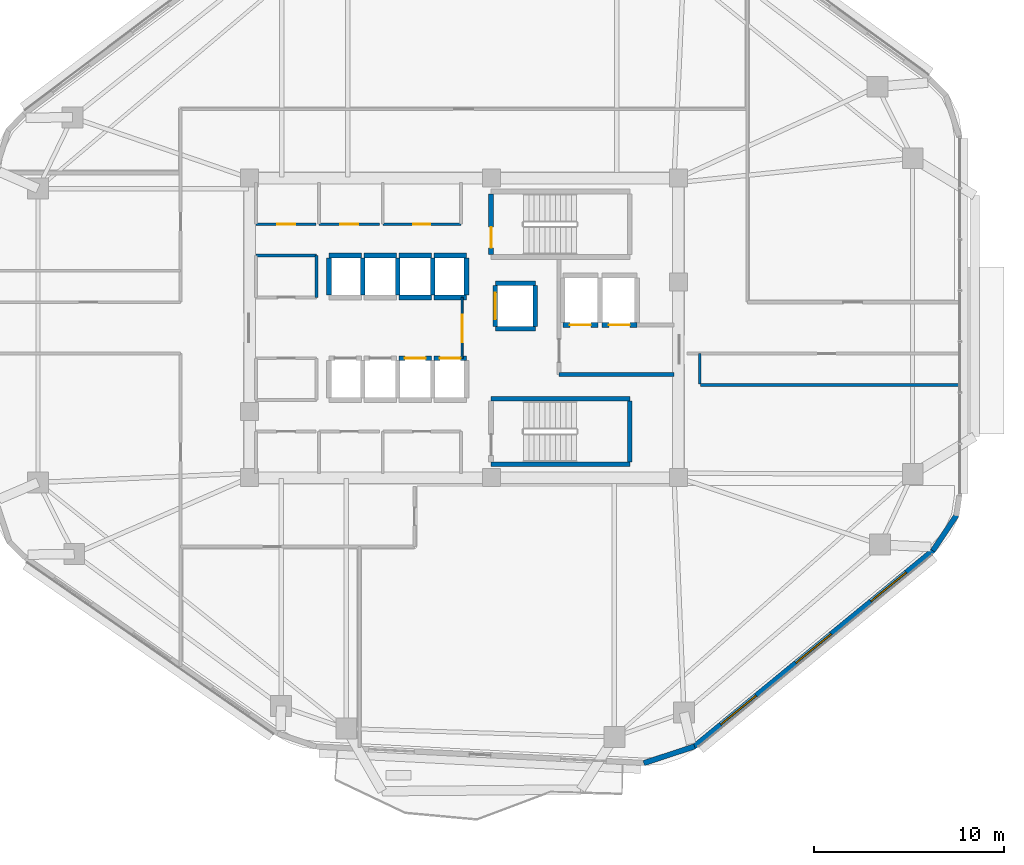
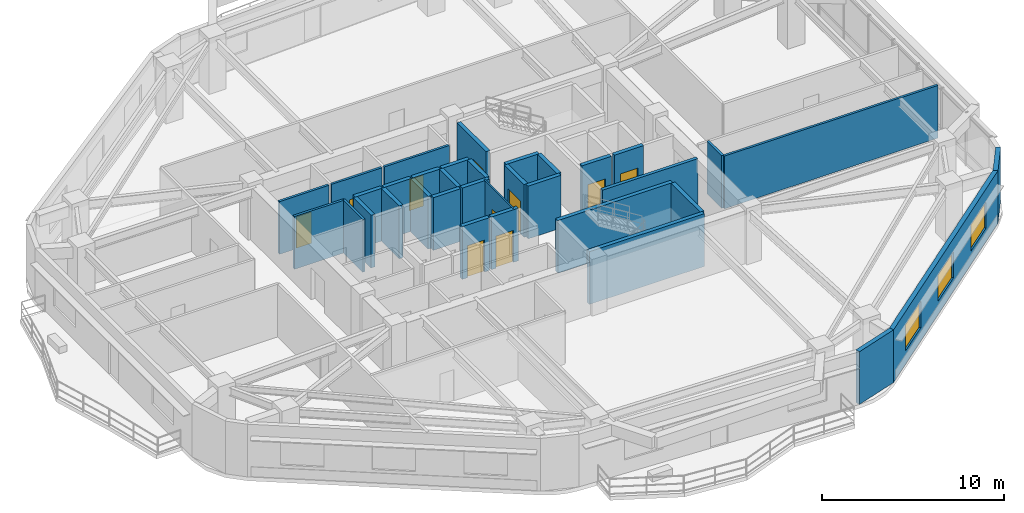
# One storey, part 10 of 15: 35 walls, 10 doors, 3 windows, 13 openings.
"""IFC4 building model written with IfcOpenShell, lengths in metres."""

from ifc_helpers import new_model, si_unit, direction, frame, frame_2d, origin, place, context, subcontext, project, spatial, rectangle, extrude, material, layer, layer_set, type_object, element, fill, save


model = new_model("IFC4")

# Units and contexts
model_context = context("Model", 3, precision=1e-05, world=origin(), true_north=direction((0.0, 1.0)))
body_context = subcontext(model_context, "Body", "Model", "MODEL_VIEW")
ifc_project = project(units=[si_unit("LENGTHUNIT", "METRE"), si_unit("AREAUNIT", "SQUARE_METRE"), si_unit("VOLUMEUNIT", "CUBIC_METRE"), si_unit("PLANEANGLEUNIT", "RADIAN"), si_unit("MASSUNIT", "GRAM", prefix="KILO")], contexts=[model_context])

# Site, building, storey
site_placement = place(None, origin())
site = spatial("IfcSite", under=ifc_project, at=site_placement, CompositionType="ELEMENT")
building_placement = place(site_placement, origin())
building = spatial("IfcBuilding", under=site, at=building_placement, Name="Zulverin Broadcast Headquarters", CompositionType="ELEMENT")
storey_placement = place(building_placement, frame((0.0, 0.0, 132.60009765625)))
storey = spatial("IfcBuildingStorey", under=building, at=storey_placement, Name="L33", CompositionType="ELEMENT", Elevation=132.60009765625)

# Wall, openings, windows
ifc_material_1 = material(Name="Insulated pale-metal clad concrete spandrel C40/50", Category="concrete")
ifc_layer_1 = layer(ifc_material_1, 0.280029296875, Name="Insulated pale-metal clad concrete spandrel C40/50", Category="concrete")
ifc_layer_set_1 = layer_set([ifc_layer_1], Name="Insulated pale-metal clad concrete spandrel C40/50")
wall_type_1 = type_object("IfcWallType", Name="WL-EXT-280", PredefinedType="STANDARD", material=ifc_layer_set_1)
wall_1_placement = place(storey_placement, frame((49.080078125, 3.164306640625, 0.0), z_axis=(0.0, 0.0, 1.0), x_axis=(0.772937830186, 0.634481765433, 0.0)))
wall_1 = element("IfcWall", 1, at=wall_1_placement, inside=storey, type_object=wall_type_1, Name="L33 Pale-Metal Clad Spandrel Wall 2", PredefinedType="STANDARD", context=body_context, shape_type="SweptSolid", body=[
    extrude(rectangle(XDim=16.308837890625, YDim=0.280029296875, at=frame_2d((8.154296875, 0.0))), origin(), (0.0, 0.0, 1.0), 3.539794921875),
])
opening_1_placement = place(wall_1_placement, frame((1.8515625, 0.0, 0.89990234375)))
opening_1 = element("IfcOpeningElement", 2, at=opening_1_placement, cuts=wall_1, Name="Opening W-L33-E21", PredefinedType="OPENING", context=body_context, shape_type="SweptSolid", body=[
    extrude(rectangle(XDim=2.39990234375, YDim=1.75, at=frame_2d((1.199951171875, 0.875))), frame((0.0, 0.14990234375, 0.0), z_axis=(0.0, -1.0, 0.0), x_axis=(1.0, 0.0, 0.0)), (0.0, 0.0, 1.0), 0.300048828125),
])
opening_2_placement = place(wall_1_placement, frame((6.954345703125, 0.0, 0.89990234375)))
opening_2 = element("IfcOpeningElement", 3, at=opening_2_placement, cuts=wall_1, Name="Opening W-L33-E22", PredefinedType="OPENING", context=body_context, shape_type="SweptSolid", body=[
    extrude(rectangle(XDim=2.39990234375, YDim=1.75, at=frame_2d((1.199951171875, 0.875))), frame((0.0, 0.14990234375, 0.0), z_axis=(0.0, -1.0, 0.0), x_axis=(1.0, 0.0, 0.0)), (0.0, 0.0, 1.0), 0.300048828125),
])
opening_3_placement = place(wall_1_placement, frame((12.057373046875, 0.0, 0.89990234375)))
opening_3 = element("IfcOpeningElement", 4, at=opening_3_placement, cuts=wall_1, Name="Opening W-L33-E23", PredefinedType="OPENING", context=body_context, shape_type="SweptSolid", body=[
    extrude(rectangle(XDim=2.39990234375, YDim=1.75, at=frame_2d((1.199951171875, 0.875))), frame((0.0, 0.14990234375, 0.0), z_axis=(0.0, -1.0, 0.0), x_axis=(1.0, 0.0, 0.0)), (0.0, 0.0, 1.0), 0.300048828125),
])
ifc_material_2 = material(Name="Pale anodized aluminium frame with solar-control low-E double glazing", Category="aluminium")
window_type = type_object("IfcWindowType", Name="WIN-RIB-2400", PartitioningType="SINGLE_PANEL", PredefinedType="WINDOW", material=ifc_material_2)
window_1_placement = place(opening_1_placement, origin())
window_1 = element("IfcWindow", 5, at=window_1_placement, inside=storey, type_object=window_type, Name="L33 Ribbon Glazing Window 2 1", OverallHeight=1.75, OverallWidth=2.39990234375, PartitioningType="SINGLE_PANEL", PredefinedType="WINDOW", context=body_context, shape_type="SweptSolid", body=[
    extrude(rectangle(XDim=2.39990234375, YDim=1.75, at=frame_2d((1.199951171875, 0.875))), frame((0.0, 0.030029296875, 0.0), z_axis=(0.0, -1.0, 0.0), x_axis=(1.0, 0.0, 0.0)), (0.0, 0.0, 1.0), 0.06005859375),
])
fill(opening_1, window_1)
window_2_placement = place(opening_2_placement, origin())
window_2 = element("IfcWindow", 6, at=window_2_placement, inside=storey, type_object=window_type, Name="L33 Ribbon Glazing Window 2 2", OverallHeight=1.75, OverallWidth=2.39990234375, PartitioningType="SINGLE_PANEL", PredefinedType="WINDOW", context=body_context, shape_type="SweptSolid", body=[
    extrude(rectangle(XDim=2.39990234375, YDim=1.75, at=frame_2d((1.199951171875, 0.875))), frame((0.0, 0.030029296875, 0.0), z_axis=(0.0, -1.0, 0.0), x_axis=(1.0, 0.0, 0.0)), (0.0, 0.0, 1.0), 0.06005859375),
])
fill(opening_2, window_2)
window_3_placement = place(opening_3_placement, origin())
window_3 = element("IfcWindow", 7, at=window_3_placement, inside=storey, type_object=window_type, Name="L33 Ribbon Glazing Window 2 3", OverallHeight=1.75, OverallWidth=2.39990234375, PartitioningType="SINGLE_PANEL", PredefinedType="WINDOW", context=body_context, shape_type="SweptSolid", body=[
    extrude(rectangle(XDim=2.39990234375, YDim=1.75, at=frame_2d((1.199951171875, 0.875))), frame((0.0, 0.030029296875, 0.0), z_axis=(0.0, -1.0, 0.0), x_axis=(1.0, 0.0, 0.0)), (0.0, 0.0, 1.0), 0.06005859375),
])
fill(opening_3, window_3)

# Walls
wall_2_placement = place(storey_placement, frame((46.455078125, 2.30859375, 0.0), z_axis=(0.0, 0.0, 1.0), x_axis=(0.949677222099, 0.313230224955, 0.0)))
element("IfcWall", 8, at=wall_2_placement, inside=storey, type_object=wall_type_1, Name="L33 Wind-Shaped Corner Spandrel Wall 1-1", PredefinedType="STANDARD", context=body_context, shape_type="SweptSolid", body=[
    extrude(rectangle(XDim=2.811279296875, YDim=0.280029296875, at=frame_2d((1.40576171875, 0.0))), origin(), (0.0, 0.0, 1.0), 3.539794921875),
])
wall_3_placement = place(storey_placement, frame((61.658203125, 13.481689453125, 0.0), z_axis=(0.0, 0.0, 1.0), x_axis=(0.555521224344, 0.831502356764, 0.0)))
element("IfcWall", 9, at=wall_3_placement, inside=storey, type_object=wall_type_1, Name="L33 Wind-Shaped Corner Spandrel Wall 2-1", PredefinedType="STANDARD", context=body_context, shape_type="SweptSolid", body=[
    extrude(rectangle(XDim=2.263671875, YDim=0.280029296875, at=frame_2d((1.1318359375, 0.0))), origin(), (0.0, 0.0, 1.0), 3.539794921875),
])
ifc_material_3 = material(Name="Concrete C40/50", Category="concrete")
ifc_layer_2 = layer(ifc_material_3, 0.199951171875, Name="Concrete C40/50", Category="concrete")
ifc_layer_set_2 = layer_set([ifc_layer_2], Name="Concrete C40/50")
wall_type_2 = type_object("IfcWallType", Name="WL-FFL-200", PredefinedType="SOLIDWALL", material=ifc_layer_set_2)
wall_4_placement = place(storey_placement, frame((42.0, 22.75, 0.0), z_axis=(0.0, 0.0, 1.0), x_axis=(1.0, 0.0, 0.0)))
element("IfcWall", 10, at=wall_4_placement, inside=storey, type_object=wall_type_2, Name="L33 Firefighting Lift Lobby South Wall", PredefinedType="SOLIDWALL", context=body_context, shape_type="SweptSolid", body=[
    extrude(rectangle(XDim=6.050048828125, YDim=0.199951171875, at=frame_2d((3.02490234375, 0.0))), origin(), (0.0, 0.0, 1.0), 3.539794921875),
])

# Wall, opening, door
ifc_material_4 = material(Name="Fire-rated acoustic laminated glass screen", Category="glass")
ifc_layer_3 = layer(ifc_material_4, 0.10009765625, Name="Fire-rated acoustic laminated glass screen", Category="glass")
ifc_layer_set_3 = layer_set([ifc_layer_3], Name="Fire-rated acoustic laminated glass screen")
wall_type_3 = type_object("IfcWallType", Name="WL-GLAZ-100", PredefinedType="PARTITIONING", material=ifc_layer_set_3)
wall_5_placement = place(storey_placement, frame((36.89990234375, 23.60009765625, 0.0), z_axis=(0.0, 0.0, 1.0), x_axis=(0.0, 1.0, 0.0)))
wall_5 = element("IfcWall", 11, at=wall_5_placement, inside=storey, type_object=wall_type_3, Name="L33 Core Goods & Stair Hall Screen", PredefinedType="PARTITIONING", context=body_context, shape_type="SweptSolid", body=[
    extrude(rectangle(XDim=3.199951171875, YDim=0.10009765625, at=frame_2d((1.60009765625, 0.0))), origin(), (0.0, 0.0, 1.0), 3.539794921875),
])
opening_4_placement = place(wall_5_placement, frame((0.85009765625, 0.0, 0.0)))
opening_4 = element("IfcOpeningElement", 12, at=opening_4_placement, cuts=wall_5, Name="Opening D-L33-CL3", PredefinedType="OPENING", context=body_context, shape_type="SweptSolid", body=[
    extrude(rectangle(XDim=1.449951171875, YDim=2.1201171875, at=frame_2d((0.72509765625, 1.06005859375))), frame((0.0, 0.06005859375, 0.0), z_axis=(0.0, -1.0, 0.0), x_axis=(1.0, 0.0, 0.0)), (0.0, 0.0, 1.0), 0.1201171875),
])
ifc_material_5 = material(Name="Fire-rated acoustic glazed double leaf", Category="glass")
door_type_1 = type_object("IfcDoorType", Name="DR-GLZ-1450", OperationType="DOUBLE_DOOR_SINGLE_SWING", PredefinedType="DOOR", material=ifc_material_5)
door_1_placement = place(opening_4_placement, origin())
door_1 = element("IfcDoor", 13, at=door_1_placement, inside=storey, type_object=door_type_1, Name="L33 Core Goods & Stair Hall Door", OperationType="DOUBLE_DOOR_SINGLE_SWING", OverallHeight=2.1201171875, OverallWidth=1.449951171875, PredefinedType="DOOR", context=body_context, shape_type="SweptSolid", body=[
    extrude(rectangle(XDim=1.449951171875, YDim=2.1201171875, at=frame_2d((0.72509765625, 1.06005859375))), frame((0.0, 0.02490234375, 0.0), z_axis=(0.0, -1.0, 0.0), x_axis=(1.0, 0.0, 0.0)), (0.0, 0.0, 1.0), 0.050048828125),
])
fill(opening_4, door_1)

ifc_material_6 = material(Name="Fire-rated gypsum stud partition", Category="gypsum")
ifc_layer_4 = layer(ifc_material_6, 0.14990234375, Name="Fire-rated gypsum stud partition", Category="gypsum")
ifc_layer_set_4 = layer_set([ifc_layer_4], Name="Fire-rated gypsum stud partition")
wall_type_4 = type_object("IfcWallType", Name="WL-PART-150", PredefinedType="PARTITIONING", material=ifc_layer_set_4)
wall_6_placement = place(storey_placement, frame((26.070068359375, 30.64990234375, 0.0), z_axis=(0.0, 0.0, 1.0), x_axis=(1.0, 0.0, 0.0)))
wall_6 = element("IfcWall", 14, at=wall_6_placement, inside=storey, type_object=wall_type_4, Name="L33 Core Male WC Front Wall", PredefinedType="PARTITIONING", context=body_context, shape_type="SweptSolid", body=[
    extrude(rectangle(XDim=3.14990234375, YDim=0.14990234375, at=frame_2d((1.574951171875, 0.0))), origin(), (0.0, 0.0, 1.0), 3.539794921875),
])
opening_5_placement = place(wall_6_placement, frame((1.10009765625, 0.0, 0.0)))
opening_5 = element("IfcOpeningElement", 15, at=opening_5_placement, cuts=wall_6, Name="Opening D-L33-NC1", PredefinedType="OPENING", context=body_context, shape_type="SweptSolid", body=[
    extrude(rectangle(XDim=0.949951171875, YDim=2.10009765625, at=frame_2d((0.47509765625, 1.050048828125))), frame((0.0, 0.0849609375, 0.0), z_axis=(0.0, -1.0, 0.0), x_axis=(1.0, 0.0, 0.0)), (0.0, 0.0, 1.0), 0.169921875),
])
ifc_material_7 = material(Name="Fire-rated moisture-resistant laminate leaf", Category="wood")
door_type_2 = type_object("IfcDoorType", Name="DR-WC-950", OperationType="SINGLE_SWING_LEFT", PredefinedType="DOOR", material=ifc_material_7)
door_2_placement = place(opening_5_placement, origin())
door_2 = element("IfcDoor", 16, at=door_2_placement, inside=storey, type_object=door_type_2, Name="L33 Male WC Door", OperationType="SINGLE_SWING_LEFT", OverallHeight=2.10009765625, OverallWidth=0.949951171875, PredefinedType="DOOR", context=body_context, shape_type="SweptSolid", body=[
    extrude(rectangle(XDim=0.949951171875, YDim=2.10009765625, at=frame_2d((0.47509765625, 1.050048828125))), frame((0.0, 0.02490234375, 0.0), z_axis=(0.0, -1.0, 0.0), x_axis=(1.0, 0.0, 0.0)), (0.0, 0.0, 1.0), 0.050048828125),
])
fill(opening_5, door_2)

wall_7_placement = place(storey_placement, frame((29.3798828125, 30.64990234375, 0.0), z_axis=(0.0, 0.0, 1.0), x_axis=(1.0, 0.0, 0.0)))
wall_7 = element("IfcWall", 17, at=wall_7_placement, inside=storey, type_object=wall_type_4, Name="L33 Core Accessible WC Front Wall", PredefinedType="PARTITIONING", context=body_context, shape_type="SweptSolid", body=[
    extrude(rectangle(XDim=3.190185546875, YDim=0.14990234375, at=frame_2d((1.59521484375, 0.0))), origin(), (0.0, 0.0, 1.0), 3.539794921875),
])
opening_6_placement = place(wall_7_placement, frame((1.1201171875, 0.0, 0.0)))
opening_6 = element("IfcOpeningElement", 18, at=opening_6_placement, cuts=wall_7, Name="Opening D-L33-NC2", PredefinedType="OPENING", context=body_context, shape_type="SweptSolid", body=[
    extrude(rectangle(XDim=0.949951171875, YDim=2.10009765625, at=frame_2d((0.47509765625, 1.050048828125))), frame((0.0, 0.0849609375, 0.0), z_axis=(0.0, -1.0, 0.0), x_axis=(1.0, 0.0, 0.0)), (0.0, 0.0, 1.0), 0.169921875),
])
door_3_placement = place(opening_6_placement, origin())
door_3 = element("IfcDoor", 19, at=door_3_placement, inside=storey, type_object=door_type_2, Name="L33 Accessible WC Door", OperationType="SINGLE_SWING_RIGHT", OverallHeight=2.10009765625, OverallWidth=0.949951171875, PredefinedType="DOOR", context=body_context, shape_type="SweptSolid", body=[
    extrude(rectangle(XDim=0.949951171875, YDim=2.10009765625, at=frame_2d((0.47509765625, 1.050048828125))), frame((0.0, 0.02490234375, 0.0), z_axis=(0.0, -1.0, 0.0), x_axis=(1.0, 0.0, 0.0)), (0.0, 0.0, 1.0), 0.050048828125),
])
fill(opening_6, door_3)

wall_8_placement = place(storey_placement, frame((32.72998046875, 30.64990234375, 0.0), z_axis=(0.0, 0.0, 1.0), x_axis=(1.0, 0.0, 0.0)))
wall_8 = element("IfcWall", 20, at=wall_8_placement, inside=storey, type_object=wall_type_4, Name="L33 Core Electrical Distribution Riser Front Wall", PredefinedType="PARTITIONING", context=body_context, shape_type="SweptSolid", body=[
    extrude(rectangle(XDim=4.1201171875, YDim=0.14990234375, at=frame_2d((2.06005859375, 0.0))), origin(), (0.0, 0.0, 1.0), 3.539794921875),
])
opening_7_placement = place(wall_8_placement, frame((1.610107421875, 0.0, 0.0)))
opening_7 = element("IfcOpeningElement", 21, at=opening_7_placement, cuts=wall_8, Name="Opening D-L33-NC3", PredefinedType="OPENING", context=body_context, shape_type="SweptSolid", body=[
    extrude(rectangle(XDim=0.89990234375, YDim=2.10009765625, at=frame_2d((0.449951171875, 1.050048828125))), frame((0.0, 0.0849609375, 0.0), z_axis=(0.0, -1.0, 0.0), x_axis=(1.0, 0.0, 0.0)), (0.0, 0.0, 1.0), 0.169921875),
])
ifc_material_8 = material(Name="Powder-coated steel access leaf", Category="steel")
door_type_3 = type_object("IfcDoorType", Name="DR-RISER-900", OperationType="SINGLE_SWING_LEFT", PredefinedType="DOOR", material=ifc_material_8)
door_4_placement = place(opening_7_placement, origin())
door_4 = element("IfcDoor", 22, at=door_4_placement, inside=storey, type_object=door_type_3, Name="L33 Electrical Distribution Riser Door", OperationType="SINGLE_SWING_LEFT", OverallHeight=2.10009765625, OverallWidth=0.89990234375, PredefinedType="DOOR", context=body_context, shape_type="SweptSolid", body=[
    extrude(rectangle(XDim=0.89990234375, YDim=2.10009765625, at=frame_2d((0.449951171875, 1.050048828125))), frame((0.0, 0.02490234375, 0.0), z_axis=(0.0, -1.0, 0.0), x_axis=(1.0, 0.0, 0.0)), (0.0, 0.0, 1.0), 0.050048828125),
])
fill(opening_7, door_4)

# Walls
wall_9_placement = place(storey_placement, frame((26.070068359375, 29.0, 0.0), z_axis=(0.0, 0.0, 1.0), x_axis=(1.0, 0.0, 0.0)))
element("IfcWall", 23, at=wall_9_placement, inside=storey, type_object=wall_type_4, Name="L33 Core UPS Battery Store N Wall", PredefinedType="PARTITIONING", context=body_context, shape_type="SweptSolid", body=[
    extrude(rectangle(XDim=3.179931640625, YDim=0.14990234375, at=frame_2d((1.58984375, 0.0))), origin(), (0.0, 0.0, 1.0), 3.539794921875),
])
wall_10_placement = place(storey_placement, frame((29.25, 26.800048828125, 0.0), z_axis=(0.0, 0.0, 1.0), x_axis=(0.0, 1.0, 0.0)))
element("IfcWall", 24, at=wall_10_placement, inside=storey, type_object=wall_type_4, Name="L33 Core UPS Battery Store E Wall", PredefinedType="PARTITIONING", context=body_context, shape_type="SweptSolid", body=[
    extrude(rectangle(XDim=2.199951171875, YDim=0.14990234375, at=frame_2d((1.10009765625, 0.0))), origin(), (0.0, 0.0, 1.0), 3.539794921875),
])
wall_11_placement = place(storey_placement, frame((49.39990234375, 22.239990234375, 0.0), z_axis=(0.0, 0.0, 1.0), x_axis=(0.0, 1.0, 0.0)))
element("IfcWall", 25, at=wall_11_placement, inside=storey, type_object=wall_type_4, Name="L33 Room Partition Wall RP-02", PredefinedType="PARTITIONING", context=body_context, shape_type="SweptSolid", body=[
    extrude(rectangle(XDim=1.609130859375, YDim=0.14990234375, at=frame_2d((0.8046875, 0.0))), origin(), (0.0, 0.0, 1.0), 3.539794921875),
])
wall_12_placement = place(storey_placement, frame((49.43994140625, 22.199951171875, 0.0), z_axis=(0.0, 0.0, 1.0), x_axis=(1.0, 0.0, 0.0)))
element("IfcWall", 26, at=wall_12_placement, inside=storey, type_object=wall_type_4, Name="L33 Room Partition Wall RP-08", PredefinedType="PARTITIONING", context=body_context, shape_type="SweptSolid", body=[
    extrude(rectangle(XDim=13.55517578125, YDim=0.14990234375, at=frame_2d((6.777587890625, 0.0))), origin(), (0.0, 0.0, 1.0), 3.539794921875),
])

# Wall, opening, door
ifc_material_9 = material(Name="Concrete C50/60", Category="concrete")
ifc_layer_5 = layer(ifc_material_9, 0.25, Name="Concrete C50/60", Category="concrete")
ifc_layer_set_5 = layer_set([ifc_layer_5], Name="Concrete C50/60")
wall_type_5 = type_object("IfcWallType", Name="WL-SHAFT-250", PredefinedType="SHEAR", material=ifc_layer_set_5)
wall_13_placement = place(storey_placement, frame((38.425048828125, 29.050048828125, 0.0), z_axis=(0.0, 0.0, 1.0), x_axis=(0.0, 1.0, 0.0)))
wall_13 = element("IfcWall", 27, at=wall_13_placement, inside=storey, type_object=wall_type_5, Name="L33 ST-1 Enclosure Wall W", PredefinedType="SHEAR", context=body_context, shape_type="SweptSolid", body=[
    extrude(rectangle(XDim=3.199951171875, YDim=0.25, at=frame_2d((1.60009765625, 0.0))), origin(), (0.0, 0.0, 1.0), 3.539794921875),
])
opening_8_placement = place(wall_13_placement, frame((0.35009765625, 0.0, 0.0)))
opening_8 = element("IfcOpeningElement", 28, at=opening_8_placement, cuts=wall_13, Name="Opening D-L33-ST-1", PredefinedType="OPENING", context=body_context, shape_type="SweptSolid", body=[
    extrude(rectangle(XDim=1.10009765625, YDim=2.14990234375, at=frame_2d((0.550048828125, 1.074951171875))), frame((0.0, 0.135009765625, 0.0), z_axis=(0.0, -1.0, 0.0), x_axis=(1.0, 0.0, 0.0)), (0.0, 0.0, 1.0), 0.27001953125),
])
ifc_material_10 = material(Name="Fire-rated steel leaf and frame", Category="steel")
door_type_4 = type_object("IfcDoorType", Name="DR-STAIR-1100", OperationType="SINGLE_SWING_LEFT", PredefinedType="DOOR", material=ifc_material_10)
door_5_placement = place(opening_8_placement, origin())
door_5 = element("IfcDoor", 29, at=door_5_placement, inside=storey, type_object=door_type_4, Name="L33 Exit Stair ST-1 Fire Door", OperationType="SINGLE_SWING_LEFT", OverallHeight=2.14990234375, OverallWidth=1.10009765625, PredefinedType="DOOR", context=body_context, shape_type="SweptSolid", body=[
    extrude(rectangle(XDim=1.10009765625, YDim=2.14990234375, at=frame_2d((0.550048828125, 1.074951171875))), frame((0.0, 0.02490234375, 0.0), z_axis=(0.0, -1.0, 0.0), x_axis=(1.0, 0.0, 0.0)), (0.0, 0.0, 1.0), 0.050048828125),
])
fill(opening_8, door_5)

# Walls
for number, where, z_axis, x_axis, name in (
    (30, (38.425048828125, 18.02490234375, 0.0), (0.0, 0.0, 1.0), (1.0, 0.0, 0.0), "L33 ST-2 Enclosure Wall S"),
    (31, (38.425048828125, 21.47509765625, 0.0), (0.0, 0.0, 1.0), (1.0, 0.0, 0.0), "L33 ST-2 Enclosure Wall N"),
):
    element("IfcWall", number, at=place(storey_placement, frame(where, z_axis=z_axis, x_axis=x_axis)), inside=storey, type_object=wall_type_5, Name=name, PredefinedType="SHEAR", context=body_context, shape_type="SweptSolid", body=[
        extrude(rectangle(XDim=7.300048828125, YDim=0.25, at=frame_2d((3.64990234375, 0.0))), origin(), (0.0, 0.0, 1.0), 3.539794921875),
    ])
wall_14_placement = place(storey_placement, frame((45.72509765625, 18.14990234375, 0.0), z_axis=(0.0, 0.0, 1.0), x_axis=(0.0, 1.0, 0.0)))
element("IfcWall", 32, at=wall_14_placement, inside=storey, type_object=wall_type_5, Name="L33 ST-2 Enclosure Wall E", PredefinedType="SHEAR", context=body_context, shape_type="SweptSolid", body=[
    extrude(rectangle(XDim=3.2001953125, YDim=0.25, at=frame_2d((1.60009765625, 0.0))), origin(), (0.0, 0.0, 1.0), 3.539794921875),
])

# Wall, opening, door
wall_15_placement = place(storey_placement, frame((33.580078125, 23.60009765625, 0.0), z_axis=(0.0, 0.0, 1.0), x_axis=(1.0, 0.0, 0.0)))
wall_15 = element("IfcWall", 33, at=wall_15_placement, inside=storey, type_object=wall_type_5, Name="L33 Lift PL-M3 Shaft Wall N", PredefinedType="SHEAR", context=body_context, shape_type="SweptSolid", body=[
    extrude(rectangle(XDim=1.719970703125, YDim=0.25, at=frame_2d((0.85986328125, 0.0))), origin(), (0.0, 0.0, 1.0), 3.539794921875),
])
opening_9_placement = place(wall_15_placement, frame((0.31005859375, 0.0, 0.0)))
opening_9 = element("IfcOpeningElement", 34, at=opening_9_placement, cuts=wall_15, Name="Opening LD-PL-M3-L33", PredefinedType="OPENING", context=body_context, shape_type="SweptSolid", body=[
    extrude(rectangle(XDim=1.10009765625, YDim=2.14990234375, at=frame_2d((0.550048828125, 1.074951171875))), frame((0.0, 0.135009765625, 0.0), z_axis=(0.0, -1.0, 0.0), x_axis=(1.0, 0.0, 0.0)), (0.0, 0.0, 1.0), 0.27001953125),
])
ifc_material_11 = material(Name="Brushed stainless steel landing", Category="steel")
door_type_5 = type_object("IfcDoorType", Name="LD-PASS-1100", OperationType="DOUBLE_DOOR_SLIDING", PredefinedType="DOOR", material=ifc_material_11)
door_6_placement = place(opening_9_placement, origin())
door_6 = element("IfcDoor", 35, at=door_6_placement, inside=storey, type_object=door_type_5, Name="L33 Lift PL-M3 Sliding Landing Door", OperationType="DOUBLE_DOOR_SLIDING", OverallHeight=2.14990234375, OverallWidth=1.10009765625, PredefinedType="DOOR", context=body_context, shape_type="SweptSolid", body=[
    extrude(rectangle(XDim=1.10009765625, YDim=2.14990234375, at=frame_2d((0.550048828125, 1.074951171875))), frame((0.0, 0.02490234375, 0.0), z_axis=(0.0, -1.0, 0.0), x_axis=(1.0, 0.0, 0.0)), (0.0, 0.0, 1.0), 0.050048828125),
])
fill(opening_9, door_6)

wall_16_placement = place(storey_placement, frame((35.419921875, 23.60009765625, 0.0), z_axis=(0.0, 0.0, 1.0), x_axis=(1.0, 0.0, 0.0)))
wall_16 = element("IfcWall", 36, at=wall_16_placement, inside=storey, type_object=wall_type_5, Name="L33 Lift PL-M4 Shaft Wall N", PredefinedType="SHEAR", context=body_context, shape_type="SweptSolid", body=[
    extrude(rectangle(XDim=1.719970703125, YDim=0.25, at=frame_2d((0.85986328125, 0.0))), origin(), (0.0, 0.0, 1.0), 3.539794921875),
])
opening_10_placement = place(wall_16_placement, frame((0.31005859375, 0.0, 0.0)))
opening_10 = element("IfcOpeningElement", 37, at=opening_10_placement, cuts=wall_16, Name="Opening LD-PL-M4-L33", PredefinedType="OPENING", context=body_context, shape_type="SweptSolid", body=[
    extrude(rectangle(XDim=1.10009765625, YDim=2.14990234375, at=frame_2d((0.550048828125, 1.074951171875))), frame((0.0, 0.135009765625, 0.0), z_axis=(0.0, -1.0, 0.0), x_axis=(1.0, 0.0, 0.0)), (0.0, 0.0, 1.0), 0.27001953125),
])
door_7_placement = place(opening_10_placement, origin())
door_7 = element("IfcDoor", 38, at=door_7_placement, inside=storey, type_object=door_type_5, Name="L33 Lift PL-M4 Sliding Landing Door", OperationType="DOUBLE_DOOR_SLIDING", OverallHeight=2.14990234375, OverallWidth=1.10009765625, PredefinedType="DOOR", context=body_context, shape_type="SweptSolid", body=[
    extrude(rectangle(XDim=1.10009765625, YDim=2.14990234375, at=frame_2d((0.550048828125, 1.074951171875))), frame((0.0, 0.02490234375, 0.0), z_axis=(0.0, -1.0, 0.0), x_axis=(1.0, 0.0, 0.0)), (0.0, 0.0, 1.0), 0.050048828125),
])
fill(opening_10, door_7)

# Walls
wall_17_placement = place(storey_placement, frame((29.89990234375, 29.0, 0.0), z_axis=(0.0, 0.0, 1.0), x_axis=(1.0, 0.0, 0.0)))
element("IfcWall", 39, at=wall_17_placement, inside=storey, type_object=wall_type_5, Name="L33 Lift PL-H1 Shaft Wall N", PredefinedType="SHEAR", context=body_context, shape_type="SweptSolid", body=[
    extrude(rectangle(XDim=1.72021484375, YDim=0.25, at=frame_2d((0.860107421875, 0.0))), origin(), (0.0, 0.0, 1.0), 3.539794921875),
])
for number, where, z_axis, x_axis, name in (
    (40, (29.89990234375, 26.919921875, 0.0), (0.0, 0.0, 1.0), (0.0, 1.0, 0.0), "L33 Lift PL-H1 Shaft Wall W"),
    (41, (31.679931640625, 26.919921875, 0.0), (0.0, 0.0, 1.0), (0.0, 1.0, 0.0), "L33 Lift PL-H1 Shaft Wall E"),
):
    element("IfcWall", number, at=place(storey_placement, frame(where, z_axis=z_axis, x_axis=x_axis)), inside=storey, type_object=wall_type_5, Name=name, PredefinedType="SHEAR", context=body_context, shape_type="SweptSolid", body=[
        extrude(rectangle(XDim=1.9599609375, YDim=0.25, at=frame_2d((0.97998046875, 0.0))), origin(), (0.0, 0.0, 1.0), 3.539794921875),
    ])
wall_18_placement = place(storey_placement, frame((31.739990234375, 29.0, 0.0), z_axis=(0.0, 0.0, 1.0), x_axis=(1.0, 0.0, 0.0)))
element("IfcWall", 42, at=wall_18_placement, inside=storey, type_object=wall_type_5, Name="L33 Lift PL-H2 Shaft Wall N", PredefinedType="SHEAR", context=body_context, shape_type="SweptSolid", body=[
    extrude(rectangle(XDim=1.719970703125, YDim=0.25, at=frame_2d((0.85986328125, 0.0))), origin(), (0.0, 0.0, 1.0), 3.539794921875),
])
wall_19_placement = place(storey_placement, frame((33.52001953125, 26.919921875, 0.0), z_axis=(0.0, 0.0, 1.0), x_axis=(0.0, 1.0, 0.0)))
element("IfcWall", 43, at=wall_19_placement, inside=storey, type_object=wall_type_5, Name="L33 Lift PL-H2 Shaft Wall E", PredefinedType="SHEAR", context=body_context, shape_type="SweptSolid", body=[
    extrude(rectangle(XDim=1.9599609375, YDim=0.25, at=frame_2d((0.97998046875, 0.0))), origin(), (0.0, 0.0, 1.0), 3.539794921875),
])
for number, where, z_axis, x_axis, name in (
    (44, (33.580078125, 26.800048828125, 0.0), (0.0, 0.0, 1.0), (1.0, 0.0, 0.0), "L33 Lift PL-H3 Shaft Wall S"),
    (45, (33.580078125, 29.0, 0.0), (0.0, 0.0, 1.0), (1.0, 0.0, 0.0), "L33 Lift PL-H3 Shaft Wall N"),
):
    element("IfcWall", number, at=place(storey_placement, frame(where, z_axis=z_axis, x_axis=x_axis)), inside=storey, type_object=wall_type_5, Name=name, PredefinedType="SHEAR", context=body_context, shape_type="SweptSolid", body=[
        extrude(rectangle(XDim=1.719970703125, YDim=0.25, at=frame_2d((0.85986328125, 0.0))), origin(), (0.0, 0.0, 1.0), 3.539794921875),
    ])
wall_20_placement = place(storey_placement, frame((35.360107421875, 26.919921875, 0.0), z_axis=(0.0, 0.0, 1.0), x_axis=(0.0, 1.0, 0.0)))
element("IfcWall", 46, at=wall_20_placement, inside=storey, type_object=wall_type_5, Name="L33 Lift PL-H3 Shaft Wall E", PredefinedType="SHEAR", context=body_context, shape_type="SweptSolid", body=[
    extrude(rectangle(XDim=1.9599609375, YDim=0.25, at=frame_2d((0.97998046875, 0.0))), origin(), (0.0, 0.0, 1.0), 3.539794921875),
])
for number, where, z_axis, x_axis, name in (
    (47, (35.419921875, 26.800048828125, 0.0), (0.0, 0.0, 1.0), (1.0, 0.0, 0.0), "L33 Lift PL-H4 Shaft Wall S"),
    (48, (35.419921875, 29.0, 0.0), (0.0, 0.0, 1.0), (1.0, 0.0, 0.0), "L33 Lift PL-H4 Shaft Wall N"),
):
    element("IfcWall", number, at=place(storey_placement, frame(where, z_axis=z_axis, x_axis=x_axis)), inside=storey, type_object=wall_type_5, Name=name, PredefinedType="SHEAR", context=body_context, shape_type="SweptSolid", body=[
        extrude(rectangle(XDim=1.719970703125, YDim=0.25, at=frame_2d((0.85986328125, 0.0))), origin(), (0.0, 0.0, 1.0), 3.539794921875),
    ])
wall_21_placement = place(storey_placement, frame((37.139892578125, 26.919921875, 0.0), z_axis=(0.0, 0.0, 1.0), x_axis=(0.0, 1.0, 0.0)))
element("IfcWall", 49, at=wall_21_placement, inside=storey, type_object=wall_type_5, Name="L33 Lift PL-H4 Shaft Wall E", PredefinedType="SHEAR", context=body_context, shape_type="SweptSolid", body=[
    extrude(rectangle(XDim=1.9599609375, YDim=0.25, at=frame_2d((0.97998046875, 0.0))), origin(), (0.0, 0.0, 1.0), 3.539794921875),
])

# Wall, opening, door
wall_22_placement = place(storey_placement, frame((42.199951171875, 25.35009765625, 0.0), z_axis=(0.0, 0.0, 1.0), x_axis=(1.0, 0.0, 0.0)))
wall_22 = element("IfcWall", 50, at=wall_22_placement, inside=storey, type_object=wall_type_5, Name="L33 Lift FFL-1 Shaft Wall S", PredefinedType="SHEAR", context=body_context, shape_type="SweptSolid", body=[
    extrude(rectangle(XDim=1.85009765625, YDim=0.25, at=frame_2d((0.925048828125, 0.0))), origin(), (0.0, 0.0, 1.0), 3.539794921875),
])
opening_11_placement = place(wall_22_placement, frame((0.375, 0.0, 0.0)))
opening_11 = element("IfcOpeningElement", 51, at=opening_11_placement, cuts=wall_22, Name="Opening LD-FFL-1-L33", PredefinedType="OPENING", context=body_context, shape_type="SweptSolid", body=[
    extrude(rectangle(XDim=1.10009765625, YDim=2.14990234375, at=frame_2d((0.550048828125, 1.074951171875))), frame((0.0, 0.135009765625, 0.0), z_axis=(0.0, -1.0, 0.0), x_axis=(1.0, 0.0, 0.0)), (0.0, 0.0, 1.0), 0.27001953125),
])
ifc_material_12 = material(Name="Fire-rated stainless landing door", Category="steel")
door_type_6 = type_object("IfcDoorType", Name="LD-FFL-1100", OperationType="DOUBLE_DOOR_SLIDING", PredefinedType="DOOR", material=ifc_material_12)
door_8_placement = place(opening_11_placement, origin())
door_8 = element("IfcDoor", 52, at=door_8_placement, inside=storey, type_object=door_type_6, Name="L33 Lift FFL-1 Sliding Landing Door", OperationType="DOUBLE_DOOR_SLIDING", OverallHeight=2.14990234375, OverallWidth=1.10009765625, PredefinedType="DOOR", context=body_context, shape_type="SweptSolid", body=[
    extrude(rectangle(XDim=1.10009765625, YDim=2.14990234375, at=frame_2d((0.550048828125, 1.074951171875))), frame((0.0, 0.02490234375, 0.0), z_axis=(0.0, -1.0, 0.0), x_axis=(1.0, 0.0, 0.0)), (0.0, 0.0, 1.0), 0.050048828125),
])
fill(opening_11, door_8)

wall_23_placement = place(storey_placement, frame((44.25, 25.35009765625, 0.0), z_axis=(0.0, 0.0, 1.0), x_axis=(1.0, 0.0, 0.0)))
wall_23 = element("IfcWall", 53, at=wall_23_placement, inside=storey, type_object=wall_type_5, Name="L33 Lift FFL-2 Shaft Wall S", PredefinedType="SHEAR", context=body_context, shape_type="SweptSolid", body=[
    extrude(rectangle(XDim=1.85009765625, YDim=0.25, at=frame_2d((0.925048828125, 0.0))), origin(), (0.0, 0.0, 1.0), 3.539794921875),
])
opening_12_placement = place(wall_23_placement, frame((0.375, 0.0, 0.0)))
opening_12 = element("IfcOpeningElement", 54, at=opening_12_placement, cuts=wall_23, Name="Opening LD-FFL-2-L33", PredefinedType="OPENING", context=body_context, shape_type="SweptSolid", body=[
    extrude(rectangle(XDim=1.10009765625, YDim=2.14990234375, at=frame_2d((0.550048828125, 1.074951171875))), frame((0.0, 0.135009765625, 0.0), z_axis=(0.0, -1.0, 0.0), x_axis=(1.0, 0.0, 0.0)), (0.0, 0.0, 1.0), 0.27001953125),
])
door_9_placement = place(opening_12_placement, origin())
door_9 = element("IfcDoor", 55, at=door_9_placement, inside=storey, type_object=door_type_6, Name="L33 Lift FFL-2 Sliding Landing Door", OperationType="DOUBLE_DOOR_SLIDING", OverallHeight=2.14990234375, OverallWidth=1.10009765625, PredefinedType="DOOR", context=body_context, shape_type="SweptSolid", body=[
    extrude(rectangle(XDim=1.10009765625, YDim=2.14990234375, at=frame_2d((0.550048828125, 1.074951171875))), frame((0.0, 0.02490234375, 0.0), z_axis=(0.0, -1.0, 0.0), x_axis=(1.0, 0.0, 0.0)), (0.0, 0.0, 1.0), 0.050048828125),
])
fill(opening_12, door_9)

# Walls
for number, where, z_axis, x_axis, name in (
    (56, (38.64990234375, 25.14990234375, 0.0), (0.0, 0.0, 1.0), (1.0, 0.0, 0.0), "L33 Lift SVL-1 Shaft Wall S"),
    (57, (38.64990234375, 27.550048828125, 0.0), (0.0, 0.0, 1.0), (1.0, 0.0, 0.0), "L33 Lift SVL-1 Shaft Wall N"),
):
    element("IfcWall", number, at=place(storey_placement, frame(where, z_axis=z_axis, x_axis=x_axis)), inside=storey, type_object=wall_type_5, Name=name, PredefinedType="SHEAR", context=body_context, shape_type="SweptSolid", body=[
        extrude(rectangle(XDim=2.10009765625, YDim=0.25, at=frame_2d((1.050048828125, 0.0))), origin(), (0.0, 0.0, 1.0), 3.539794921875),
    ])

# Wall, opening, door
wall_24_placement = place(storey_placement, frame((38.64990234375, 25.27001953125, 0.0), z_axis=(0.0, 0.0, 1.0), x_axis=(0.0, 1.0, 0.0)))
wall_24 = element("IfcWall", 58, at=wall_24_placement, inside=storey, type_object=wall_type_5, Name="L33 Lift SVL-1 Shaft Wall W", PredefinedType="SHEAR", context=body_context, shape_type="SweptSolid", body=[
    extrude(rectangle(XDim=2.159912109375, YDim=0.25, at=frame_2d((1.080078125, 0.0))), origin(), (0.0, 0.0, 1.0), 3.539794921875),
])
opening_13_placement = place(wall_24_placement, frame((0.3798828125, 0.0, 0.0)))
opening_13 = element("IfcOpeningElement", 59, at=opening_13_placement, cuts=wall_24, Name="Opening LD-SVL-1-L33", PredefinedType="OPENING", context=body_context, shape_type="SweptSolid", body=[
    extrude(rectangle(XDim=1.39990234375, YDim=2.199951171875, at=frame_2d((0.699951171875, 1.10009765625))), frame((0.0, 0.135009765625, 0.0), z_axis=(0.0, -1.0, 0.0), x_axis=(1.0, 0.0, 0.0)), (0.0, 0.0, 1.0), 0.27001953125),
])
ifc_material_13 = material(Name="Heavy-duty stainless landing door", Category="steel")
door_type_7 = type_object("IfcDoorType", Name="LD-GOODS-1400", OperationType="DOUBLE_DOOR_SLIDING", PredefinedType="DOOR", material=ifc_material_13)
door_10_placement = place(opening_13_placement, origin())
door_10 = element("IfcDoor", 60, at=door_10_placement, inside=storey, type_object=door_type_7, Name="L33 Lift SVL-1 Sliding Landing Door", OperationType="DOUBLE_DOOR_SLIDING", OverallHeight=2.199951171875, OverallWidth=1.39990234375, PredefinedType="DOOR", context=body_context, shape_type="SweptSolid", body=[
    extrude(rectangle(XDim=1.39990234375, YDim=2.199951171875, at=frame_2d((0.699951171875, 1.10009765625))), frame((0.0, 0.02490234375, 0.0), z_axis=(0.0, -1.0, 0.0), x_axis=(1.0, 0.0, 0.0)), (0.0, 0.0, 1.0), 0.050048828125),
])
fill(opening_13, door_10)

# Wall
wall_25_placement = place(storey_placement, frame((40.75, 25.27001953125, 0.0), z_axis=(0.0, 0.0, 1.0), x_axis=(0.0, 1.0, 0.0)))
element("IfcWall", 61, at=wall_25_placement, inside=storey, type_object=wall_type_5, Name="L33 Lift SVL-1 Shaft Wall E", PredefinedType="SHEAR", context=body_context, shape_type="SweptSolid", body=[
    extrude(rectangle(XDim=2.159912109375, YDim=0.25, at=frame_2d((1.080078125, 0.0))), origin(), (0.0, 0.0, 1.0), 3.539794921875),
])

save(model, "model.ifc")
